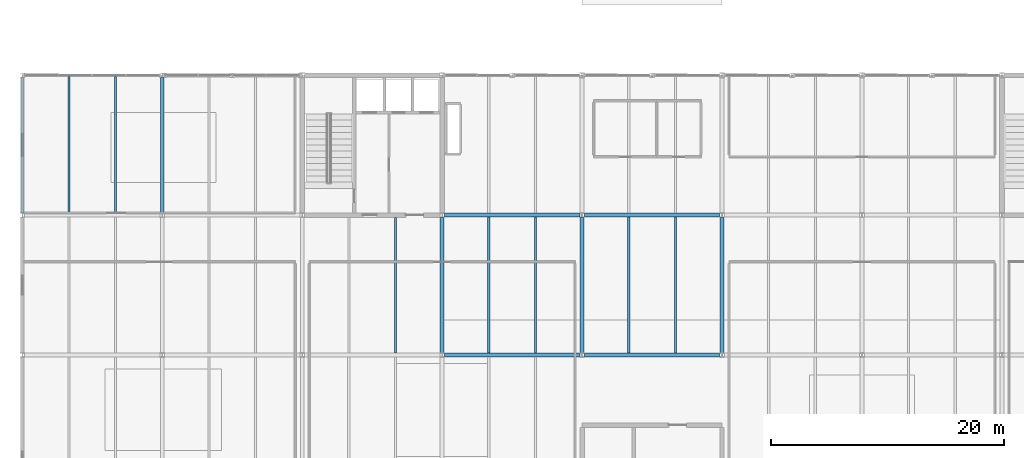
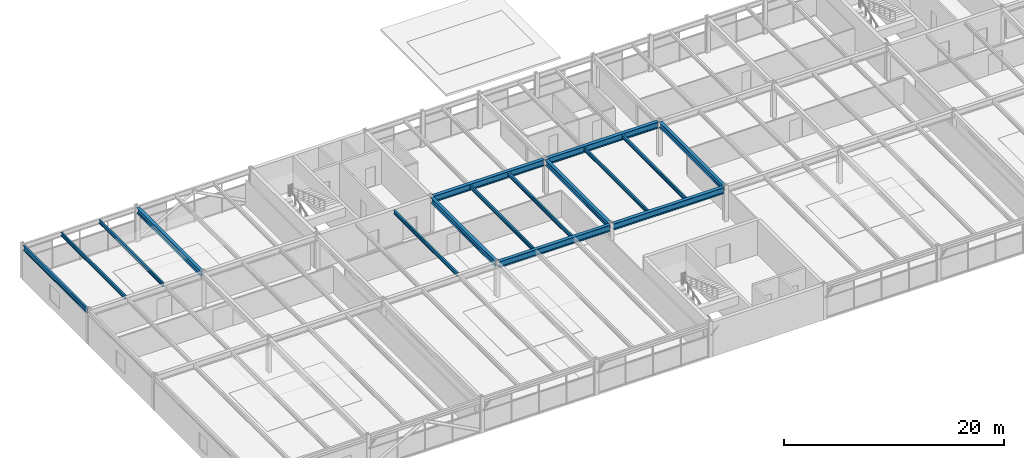
# One storey, part 16 of 49: 16 beams.
"""IFC4 building model written with IfcOpenShell, lengths in metres."""

from ifc_helpers import new_model, si_unit, direction, frame, origin, origin_2d, place, context, subcontext, project, spatial, i_section, extrude, material, material_profile, profile_set, type_object, element, save


model = new_model("IFC4")

# Units and contexts
model_context = context("Model", 3, precision=1e-05, world=origin(), true_north=direction((0.0, 1.0)))
body_context = subcontext(model_context, "Body", "Model", "MODEL_VIEW")
ifc_project = project(units=[si_unit("LENGTHUNIT", "METRE"), si_unit("AREAUNIT", "SQUARE_METRE"), si_unit("VOLUMEUNIT", "CUBIC_METRE"), si_unit("PLANEANGLEUNIT", "RADIAN"), si_unit("MASSUNIT", "GRAM", prefix="KILO")], contexts=[model_context])

# Site, building, storey
site_placement = place(None, origin())
site = spatial("IfcSite", under=ifc_project, at=site_placement, CompositionType="ELEMENT")
building_placement = place(site_placement, origin())
building = spatial("IfcBuilding", under=site, at=building_placement, Name="Girod Span Mobility Hub", CompositionType="ELEMENT")
storey_placement = place(building_placement, frame((0.0, 0.0, 37.60009765625)))
storey = spatial("IfcBuildingStorey", under=building, at=storey_placement, Name="L09", CompositionType="ELEMENT", Elevation=37.60009765625)

# Beams
ifc_material_1 = material(Name="Steel A992 Grade 50", Category="steel")
ifc_material_profile_1 = material_profile(ifc_material_1, i_section(OverallWidth=0.178955078125, OverallDepth=0.409912109375, WebThickness=0.0087890625, FlangeThickness=0.014404296875, FilletRadius=0.012939453125, at=origin_2d()), Name="W16X45")
ifc_profile_set_1 = profile_set([ifc_material_profile_1], Name="Steel A992 Grade 50")
beam_type_1 = type_object("IfcBeamType", Name="BM-STL-W16X45", PredefinedType="BEAM", material=ifc_profile_set_1)
for number, where, z_axis, x_axis, name in (
    (1, (28.0, 57.174560546875, 3.6298828125), (0.0, 1.0, 0.0), (-1.0, 0.0, 0.0), "Composite Floorbeam 3/E-1 L09"),
    (2, (32.0, 57.174560546875, 3.6298828125), (0.0, 1.0, 0.0), (-1.0, 0.0, 0.0), "Composite Floorbeam 3/E-2 L09"),
):
    element("IfcBeam", number, at=place(storey_placement, frame(where, z_axis=z_axis, x_axis=x_axis)), inside=storey, type_object=beam_type_1, Name=name, PredefinedType="BEAM", context=body_context, shape_type="SweptSolid", body=[
        extrude(i_section(OverallWidth=0.178955078125, OverallDepth=0.409912109375, WebThickness=0.0087890625, FlangeThickness=0.014404296875, FilletRadius=0.012939453125, at=origin_2d()), origin(), (0.0, 0.0, 1.0), 11.722412109375),
    ])
beam_1_placement = place(storey_placement, frame((56.0, 45.174560546875, 3.6298828125), z_axis=(0.0, 1.0, 0.0), x_axis=(-1.0, 0.0, 0.0)))
element("IfcBeam", 3, at=beam_1_placement, inside=storey, type_object=beam_type_1, Name="Composite Floorbeam 5/D-2 L09", PredefinedType="BEAM", context=body_context, shape_type="SweptSolid", body=[
    extrude(i_section(OverallWidth=0.178955078125, OverallDepth=0.409912109375, WebThickness=0.0087890625, FlangeThickness=0.014404296875, FilletRadius=0.012939453125, at=origin_2d()), origin(), (0.0, 0.0, 1.0), 11.62841796875),
])
for number, where, z_axis, x_axis, name in (
    (4, (64.0, 45.174560546875, 3.6298828125), (0.0, 1.0, 0.0), (-1.0, 0.0, 0.0), "Composite Floorbeam 6/D-1 L09"),
    (5, (68.0, 45.174560546875, 3.6298828125), (0.0, 1.0, 0.0), (-1.0, 0.0, 0.0), "Composite Floorbeam 6/D-2 L09"),
    (6, (76.0, 45.174560546875, 3.6298828125), (0.0, 1.0, 0.0), (-1.0, 0.0, 0.0), "Composite Floorbeam 7/D-1 L09"),
    (7, (80.0, 45.174560546875, 3.6298828125), (0.0, 1.0, 0.0), (-1.0, 0.0, 0.0), "Composite Floorbeam 7/D-2 L09"),
):
    element("IfcBeam", number, at=place(storey_placement, frame(where, z_axis=z_axis, x_axis=x_axis)), inside=storey, type_object=beam_type_1, Name=name, PredefinedType="BEAM", context=body_context, shape_type="SweptSolid", body=[
        extrude(i_section(OverallWidth=0.178955078125, OverallDepth=0.409912109375, WebThickness=0.0087890625, FlangeThickness=0.014404296875, FilletRadius=0.012939453125, at=origin_2d()), origin(), (0.0, 0.0, 1.0), 11.65087890625),
    ])
ifc_material_2 = material(Name="Steel A992 Grade 50", Category="steel")
ifc_material_profile_2 = material_profile(ifc_material_2, i_section(OverallWidth=0.2119140625, OverallDepth=0.5439453125, WebThickness=0.01318359375, FlangeThickness=0.021240234375, FilletRadius=0.014892578125, at=origin_2d()), Name="W21X83")
ifc_profile_set_2 = profile_set([ifc_material_profile_2], Name="Steel A992 Grade 50")
beam_type_2 = type_object("IfcBeamType", Name="BM-STL-W21X83", PredefinedType="SPANDREL", material=ifc_profile_set_2)
beam_2_placement = place(storey_placement, frame((24.0, 57.1845703125, 3.56298828125), z_axis=(0.0, 1.0, 0.0), x_axis=(-1.0, 0.0, 0.0)))
element("IfcBeam", 8, at=beam_2_placement, inside=storey, type_object=beam_type_2, Name="Tie Girder 3/E-F L09", PredefinedType="SPANDREL", context=body_context, shape_type="SweptSolid", body=[
    extrude(i_section(OverallWidth=0.2119140625, OverallDepth=0.5439453125, WebThickness=0.01318359375, FlangeThickness=0.021240234375, FilletRadius=0.014892578125, at=origin_2d()), origin(), (0.0, 0.0, 1.0), 11.630859375),
])
ifc_material_3 = material(Name="Steel A992 Grade 50", Category="steel")
ifc_material_profile_3 = material_profile(ifc_material_3, i_section(OverallWidth=0.323974609375, OverallDepth=0.611083984375, WebThickness=0.0126953125, FlangeThickness=0.01904296875, FilletRadius=0.014892578125, at=origin_2d()), Name="W24X104")
ifc_profile_set_3 = profile_set([ifc_material_profile_3], Name="Steel A992 Grade 50")
beam_type_3 = type_object("IfcBeamType", Name="BM-STL-W24X104", PredefinedType="BEAM", material=ifc_profile_set_3)
beam_3_placement = place(storey_placement, frame((36.0, 57.1845703125, 3.529296875), z_axis=(0.0, 1.0, 0.0), x_axis=(-1.0, 0.0, 0.0)))
element("IfcBeam", 9, at=beam_3_placement, inside=storey, type_object=beam_type_3, Name="Tie Girder 4/E-F L09", PredefinedType="BEAM", context=body_context, shape_type="SweptSolid", body=[
    extrude(i_section(OverallWidth=0.323974609375, OverallDepth=0.611083984375, WebThickness=0.0126953125, FlangeThickness=0.01904296875, FilletRadius=0.014892578125, at=origin_2d()), origin(), (0.0, 0.0, 1.0), 11.630859375),
])
for number, where, z_axis, x_axis, name in (
    (10, (60.0, 45.193603515625, 3.529296875), (0.0, 1.0, 0.0), (-1.0, 0.0, 0.0), "Tie Girder 6/D-E L09"),
    (11, (72.0, 45.193603515625, 3.529296875), (0.0, 1.0, 0.0), (-1.0, 0.0, 0.0), "Tie Girder 7/D-E L09"),
    (12, (84.0, 45.193603515625, 3.529296875), (0.0, 1.0, 0.0), (-1.0, 0.0, 0.0), "Tie Girder 8/D-E L09"),
):
    element("IfcBeam", number, at=place(storey_placement, frame(where, z_axis=z_axis, x_axis=x_axis)), inside=storey, type_object=beam_type_3, Name=name, PredefinedType="BEAM", context=body_context, shape_type="SweptSolid", body=[
        extrude(i_section(OverallWidth=0.323974609375, OverallDepth=0.611083984375, WebThickness=0.0126953125, FlangeThickness=0.01904296875, FilletRadius=0.014892578125, at=origin_2d()), origin(), (0.0, 0.0, 1.0), 11.61279296875),
    ])
ifc_material_4 = material(Name="Steel A992 Grade 50", Category="steel")
ifc_material_profile_4 = material_profile(ifc_material_4, i_section(OverallWidth=0.35498046875, OverallDepth=0.695068359375, WebThickness=0.015380859375, FlangeThickness=0.02490234375, FilletRadius=0.01806640625, at=origin_2d()), Name="W27X146")
ifc_profile_set_4 = profile_set([ifc_material_profile_4], Name="Steel A992 Grade 50")
beam_type_4 = type_object("IfcBeamType", Name="BM-STL-W27X146", PredefinedType="BEAM", material=ifc_profile_set_4)
for number, where, z_axis, x_axis, name in (
    (13, (60.196533203125, 45.0, 3.4873046875), (1.0, 0.0, 0.0), (0.0, 1.0, 0.0), "Girder 6-7/D L09"),
    (14, (72.196533203125, 45.0, 3.4873046875), (1.0, 0.0, 0.0), (0.0, 1.0, 0.0), "Girder 7-8/D L09"),
    (15, (60.196533203125, 57.0, 3.4873046875), (1.0, 0.0, 0.0), (0.0, 1.0, 0.0), "Girder 6-7/E L09"),
    (16, (72.196533203125, 57.0, 3.4873046875), (1.0, 0.0, 0.0), (0.0, 1.0, 0.0), "Girder 7-8/E L09"),
):
    element("IfcBeam", number, at=place(storey_placement, frame(where, z_axis=z_axis, x_axis=x_axis)), inside=storey, type_object=beam_type_4, Name=name, PredefinedType="BEAM", context=body_context, shape_type="SweptSolid", body=[
        extrude(i_section(OverallWidth=0.35498046875, OverallDepth=0.695068359375, WebThickness=0.015380859375, FlangeThickness=0.02490234375, FilletRadius=0.01806640625, at=origin_2d()), origin(), (0.0, 0.0, 1.0), 11.60693359375),
    ])

save(model, "model.ifc")
